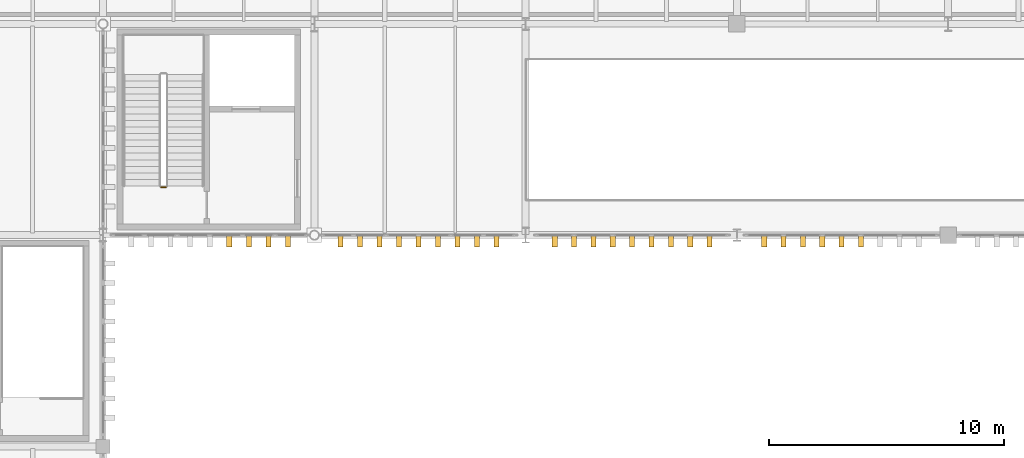
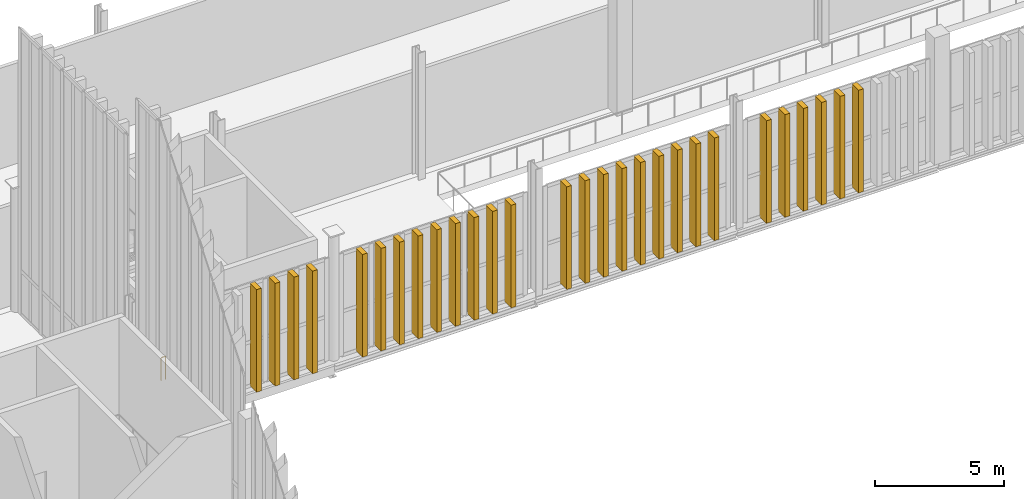
# One storey, part 217 of 237: 28 shading devices, 1 railing.
"""IFC4 building model written with IfcOpenShell, lengths in metres."""

import ifcopenshell
import ifcopenshell.guid

model = None  # the IFC model being written
_history = None  # IfcOwnerHistory: only IFC2X3 demands one
_inside = {}  # id of a spatial element -> (the spatial element, [elements in it])
_under = {}  # id of a project, library or spatial element -> (it, [spatial elements below it])
_declared = {}  # id of a project -> (the project, [libraries it declares])
_typed = {}  # id of a type object -> (the type object, [elements of that type])
_made_of = {}  # id of a material, layer set ... -> (it, [elements and type objects made of it])


def new_model(schema):
    """Start an empty IFC model of exactly this schema.

    Asked for "IFC4X3", IfcOpenShell would pick the latest addendum, in which some entities
    have other attributes; the version numbers below select the first issue.
    IFC2X3 requires an IfcOwnerHistory on every rooted entity: one is made here for all.
    """
    global model, _history
    if schema == "IFC4X3":
        model = ifcopenshell.file(schema_version=(4, 3, 0, 0))
    else:
        model = ifcopenshell.file(schema=schema)
    _inside.clear()
    _under.clear()
    _declared.clear()
    _typed.clear()
    _made_of.clear()
    _history = None
    if model.schema == "IFC2X3":
        org = make("IfcOrganization", Name="unknown")
        user = make(
            "IfcPersonAndOrganization",
            ThePerson=make("IfcPerson", FamilyName="unknown"),
            TheOrganization=org,
        )
        app = make(
            "IfcApplication",
            ApplicationDeveloper=org,
            Version="unknown",
            ApplicationFullName="unknown",
            ApplicationIdentifier="unknown",
        )
        _history = make(
            "IfcOwnerHistory",
            OwningUser=user,
            OwningApplication=app,
            ChangeAction="ADDED",
            CreationDate=0,
        )
    return model


def make(cls, **values):
    """One entity of the class cls with the attributes given. An attribute that is None is left unset."""
    return model.create_entity(
        cls, **{name: value for name, value in values.items() if value is not None}
    )


def rooted(cls, **values):
    """An entity with a GlobalId (a new one), such as an element, a storey or a relation."""
    return make(cls, GlobalId=ifcopenshell.guid.new(), OwnerHistory=_history, **values)


def si_unit(unit_type, name, prefix=None):
    """IfcSIUnit, for example si_unit("LENGTHUNIT", "METRE", prefix="MILLI")."""
    return make("IfcSIUnit", UnitType=unit_type, Prefix=prefix, Name=name)


def assignment(units):
    """IfcUnitAssignment: the units of a project."""
    return None if units is None else make("IfcUnitAssignment", Units=units)


def point(xyz):
    """IfcCartesianPoint."""
    return None if xyz is None else make("IfcCartesianPoint", Coordinates=xyz)


def direction(xyz):
    """IfcDirection."""
    return None if xyz is None else make("IfcDirection", DirectionRatios=xyz)


def frame(location, z_axis=None, x_axis=None):
    """IfcAxis2Placement3D, a coordinate frame: its origin and axes. An axis left out is left unset."""
    return make(
        "IfcAxis2Placement3D",
        Location=point(location),
        Axis=direction(z_axis),
        RefDirection=direction(x_axis),
    )


def frame_2d(location, x_axis=None):
    """IfcAxis2Placement2D, a coordinate frame in the plane: its origin and x axis."""
    return make(
        "IfcAxis2Placement2D", Location=point(location), RefDirection=direction(x_axis)
    )


def origin():
    """The frame at (0, 0, 0) with its axes left unset."""
    return frame((0.0, 0.0, 0.0))


def origin_2d():
    """The frame at (0, 0) in the plane with its x axis left unset."""
    return frame_2d((0.0, 0.0))


def place(relative_to, where):
    """IfcLocalPlacement: puts the frame where relative to a parent placement (None: the world)."""
    return make(
        "IfcLocalPlacement", PlacementRelTo=relative_to, RelativePlacement=where
    )


def context(
    kind, dimensions, precision=None, world=None, true_north=None, identifier=None
):
    """IfcGeometricRepresentationContext, for example the 3D "Model" context."""
    return make(
        "IfcGeometricRepresentationContext",
        ContextIdentifier=identifier,
        ContextType=kind,
        CoordinateSpaceDimension=dimensions,
        Precision=precision,
        WorldCoordinateSystem=world,
        TrueNorth=true_north,
    )


def subcontext(parent, identifier, kind, view, scale=None):
    """IfcGeometricRepresentationSubContext, for example "Body" below "Model"."""
    return make(
        "IfcGeometricRepresentationSubContext",
        ContextIdentifier=identifier,
        ContextType=kind,
        ParentContext=parent,
        TargetScale=scale,
        TargetView=view,
    )


def project(units=None, contexts=None):
    """IfcProject with its units and contexts."""
    return rooted(
        "IfcProject",
        Name="project",
        RepresentationContexts=contexts,
        UnitsInContext=assignment(units),
    )


def spatial(cls, under=None, at=None, **own):
    """A site, building, storey or space (cls), placed at a placement, below another one or the project."""
    s = rooted(cls, ObjectPlacement=at, **own)
    if under is not None:
        _under.setdefault(under.id(), (under, []))[1].append(s)
    return s


def profile(cls, at=None, kind="AREA", **sizes):
    """A parametric profile (cls). Its sizes go by their IFC names, for example OverallWidth=200.0."""
    return make(cls, ProfileType=kind, Position=at, **sizes)


def rectangle(**sizes):
    """IfcRectangleProfileDef."""
    return profile("IfcRectangleProfileDef", **sizes)


def circle(**sizes):
    """IfcCircleProfileDef."""
    return profile("IfcCircleProfileDef", **sizes)


def extrude(swept, where, along, depth):
    """IfcExtrudedAreaSolid: the profile swept, set in the frame where, extruded along a direction by depth."""
    return make(
        "IfcExtrudedAreaSolid",
        SweptArea=swept,
        Position=where,
        ExtrudedDirection=direction(along),
        Depth=depth,
    )


def shape(context_of_items, identifier, shape_type, items):
    """IfcShapeRepresentation: the items that make up one representation, for example the "Body"."""
    return make(
        "IfcShapeRepresentation",
        ContextOfItems=context_of_items,
        RepresentationIdentifier=identifier,
        RepresentationType=shape_type,
        Items=items,
    )


def material(Name=None, Category=None):
    """IfcMaterial."""
    return make("IfcMaterial", Name=Name, Category=Category)


def made_of(thing, what):
    """Note that an element or type object is made of a material, layer set ...; save() writes the relation."""
    if what is not None:
        _made_of.setdefault(what.id(), (what, []))[1].append(thing)
    return thing


def type_object(cls, material=None, **own):
    """A type object (cls), such as IfcWallType, which elements share."""
    return made_of(rooted(cls, **own), material)


def element(
    cls,
    number,
    at=None,
    inside=None,
    cuts=None,
    type_object=None,
    material=None,
    context=None,
    identifier="Body",
    shape_type=None,
    held_by="IfcProductDefinitionShape",
    body=None,
    shapes=None,
    **own,
):
    """One element of the class cls, such as IfcWall. Its Tag is "e" and its number.

    at: its placement. inside: the storey or other place that contains it. cuts: it is an
    opening in that element (IfcRelVoidsElement). A single representation is given by context,
    identifier, shape_type and body (its items); several are given by shapes. held_by: the class
    of the entity that holds the representations. save() writes the other relations.
    """
    e = rooted(cls, Tag="e%d" % number, ObjectPlacement=at, **own)
    if body is not None:
        shapes = [shape(context, identifier, shape_type, body)]
    if shapes is not None:
        e.Representation = make(held_by, Representations=shapes)
    if inside is not None:
        _inside.setdefault(inside.id(), (inside, []))[1].append(e)
    if cuts is not None:
        rooted(
            "IfcRelVoidsElement", RelatingBuildingElement=cuts, RelatedOpeningElement=e
        )
    if type_object is not None:
        _typed.setdefault(type_object.id(), (type_object, []))[1].append(e)
    return made_of(e, material)


def aggregate(whole, parts):
    """IfcRelAggregates: a whole, such as a stair, and the parts it consists of."""
    return rooted("IfcRelAggregates", RelatingObject=whole, RelatedObjects=parts)


def save(model, path):
    """Write the relations noted so far, then the file.

    IfcRelAggregates (storeys below a building ...), IfcRelContainedInSpatialStructure (elements
    in a storey), IfcRelDefinesByType, IfcRelAssociatesMaterial and IfcRelDeclares: one each for
    every whole, place, type object, material and project.
    """
    for whole, parts in _under.values():
        aggregate(whole, parts)
    for where, things in _inside.values():
        rooted(
            "IfcRelContainedInSpatialStructure",
            RelatedElements=things,
            RelatingStructure=where,
        )
    for kind, things in _typed.values():
        rooted("IfcRelDefinesByType", RelatedObjects=things, RelatingType=kind)
    for what, things in _made_of.values():
        rooted("IfcRelAssociatesMaterial", RelatedObjects=things, RelatingMaterial=what)
    for by, libraries in _declared.values():
        rooted("IfcRelDeclares", RelatingContext=by, RelatedDefinitions=libraries)
    model.write(path)


model = new_model("IFC4")

# Units and contexts
model_context = context("Model", 3, precision=1e-05, world=origin(), true_north=direction((0.0, 1.0)))
body_context = subcontext(model_context, "Body", "Model", "MODEL_VIEW")
ifc_project = project(units=[si_unit("LENGTHUNIT", "METRE"), si_unit("AREAUNIT", "SQUARE_METRE"), si_unit("VOLUMEUNIT", "CUBIC_METRE"), si_unit("PLANEANGLEUNIT", "RADIAN"), si_unit("MASSUNIT", "GRAM", prefix="KILO")], contexts=[model_context])

# Site, building, storey
site_placement = place(None, origin())
site = spatial("IfcSite", under=ifc_project, at=site_placement, CompositionType="ELEMENT")
building_placement = place(site_placement, origin())
building = spatial("IfcBuilding", under=site, at=building_placement, Name="Barlavento Convention Centre", CompositionType="ELEMENT")
storey_placement = place(building_placement, frame((0.0, 0.0, 12.0)))
storey = spatial("IfcBuildingStorey", under=building, at=storey_placement, Name="L02", CompositionType="ELEMENT", Elevation=12.0)

# Railing
ifc_material_1 = material(Name="Stainless steel and laminated glass balustrade", Category="steel")
railing_type = type_object("IfcRailingType", Name="ARC-RAL-BAL-1100", PredefinedType="BALUSTRADE", material=ifc_material_1)
railing_placement = place(storey_placement, frame((65.669921875, 47.0400390625, 0.0)))
element("IfcRailing", 1, at=railing_placement, inside=storey, type_object=railing_type, Name="L02 ST03 stair guard 4", PredefinedType="BALUSTRADE", context=body_context, shape_type="SweptSolid", body=[
    extrude(circle(Radius=0.02392578125, at=origin_2d()), frame((0.0, 0.0, 1.076171875), z_axis=(-1.0, 0.0, 0.0), x_axis=(0.0, -1.0, 0.0)), (0.0, 0.0, 1.0), 0.199951171875),
    extrude(circle(Radius=0.02099609375, at=origin_2d()), origin(), (0.0, 0.0, 1.0), 1.052001953125),
    extrude(circle(Radius=0.02099609375, at=origin_2d()), frame((-0.199951171875, 0.0, 0.0)), (0.0, 0.0, 1.0), 1.052001953125),
])

# Shading devices
ifc_material_2 = material(Name="PVDF white extruded aluminium", Category="aluminium")
shading_device_type = type_object("IfcShadingDeviceType", Name="ARC-SHD-FIN-480", PredefinedType="USERDEFINED", material=ifc_material_2)
for number, where, z_axis, x_axis, name in (
    (2, (68.37646484375, 44.760009765625, 0.0), (0.0, 0.0, 1.0), (1.0, 0.0, 0.0), "White vertical solar shading fin VF01"),
    (3, (69.211669921875, 44.760009765625, 0.0), (0.0, 0.0, 1.0), (1.0, 0.0, 0.0), "White vertical solar shading fin VF01"),
    (4, (70.046630859375, 44.760009765625, 0.0), (0.0, 0.0, 1.0), (1.0, 0.0, 0.0), "White vertical solar shading fin VF01"),
    (5, (70.881591796875, 44.760009765625, 0.0), (0.0, 0.0, 1.0), (1.0, 0.0, 0.0), "White vertical solar shading fin VF01"),
    (6, (73.113525390625, 44.760009765625, 0.0), (0.0, 0.0, 1.0), (1.0, 0.0, 0.0), "White vertical solar shading fin VF01"),
    (7, (73.94384765625, 44.760009765625, 0.0), (0.0, 0.0, 1.0), (1.0, 0.0, 0.0), "White vertical solar shading fin VF01"),
    (8, (74.77392578125, 44.760009765625, 0.0), (0.0, 0.0, 1.0), (1.0, 0.0, 0.0), "White vertical solar shading fin VF01"),
    (9, (75.604248046875, 44.760009765625, 0.0), (0.0, 0.0, 1.0), (1.0, 0.0, 0.0), "White vertical solar shading fin VF01"),
    (10, (76.4345703125, 44.760009765625, 0.0), (0.0, 0.0, 1.0), (1.0, 0.0, 0.0), "White vertical solar shading fin VF01"),
    (11, (77.264892578125, 44.760009765625, 0.0), (0.0, 0.0, 1.0), (1.0, 0.0, 0.0), "White vertical solar shading fin VF01"),
    (12, (78.09521484375, 44.760009765625, 0.0), (0.0, 0.0, 1.0), (1.0, 0.0, 0.0), "White vertical solar shading fin VF01"),
    (13, (78.92529296875, 44.760009765625, 0.0), (0.0, 0.0, 1.0), (1.0, 0.0, 0.0), "White vertical solar shading fin VF01"),
    (14, (79.755615234375, 44.760009765625, 0.0), (0.0, 0.0, 1.0), (1.0, 0.0, 0.0), "White vertical solar shading fin VF01"),
    (15, (82.23828125, 44.760009765625, 0.0), (0.0, 0.0, 1.0), (1.0, 0.0, 0.0), "White vertical solar shading fin VF01"),
    (16, (83.062744140625, 44.760009765625, 0.0), (0.0, 0.0, 1.0), (1.0, 0.0, 0.0), "White vertical solar shading fin VF01"),
    (17, (83.88720703125, 44.760009765625, 0.0), (0.0, 0.0, 1.0), (1.0, 0.0, 0.0), "White vertical solar shading fin VF01"),
    (18, (84.711669921875, 44.760009765625, 0.0), (0.0, 0.0, 1.0), (1.0, 0.0, 0.0), "White vertical solar shading fin VF01"),
    (19, (85.535888671875, 44.760009765625, 0.0), (0.0, 0.0, 1.0), (1.0, 0.0, 0.0), "White vertical solar shading fin VF01"),
    (20, (86.3603515625, 44.760009765625, 0.0), (0.0, 0.0, 1.0), (1.0, 0.0, 0.0), "White vertical solar shading fin VF01"),
    (21, (87.184814453125, 44.760009765625, 0.0), (0.0, 0.0, 1.0), (1.0, 0.0, 0.0), "White vertical solar shading fin VF01"),
    (22, (88.00927734375, 44.760009765625, 0.0), (0.0, 0.0, 1.0), (1.0, 0.0, 0.0), "White vertical solar shading fin VF01"),
    (23, (88.83349609375, 44.760009765625, 0.0), (0.0, 0.0, 1.0), (1.0, 0.0, 0.0), "White vertical solar shading fin VF01"),
    (24, (91.164794921875, 44.760009765625, 0.0), (0.0, 0.0, 1.0), (1.0, 0.0, 0.0), "White vertical solar shading fin VF01"),
    (25, (91.987548828125, 44.760009765625, 0.0), (0.0, 0.0, 1.0), (1.0, 0.0, 0.0), "White vertical solar shading fin VF01"),
    (26, (92.810302734375, 44.760009765625, 0.0), (0.0, 0.0, 1.0), (1.0, 0.0, 0.0), "White vertical solar shading fin VF01"),
    (27, (93.63330078125, 44.760009765625, 0.0), (0.0, 0.0, 1.0), (1.0, 0.0, 0.0), "White vertical solar shading fin VF01"),
    (28, (94.4560546875, 44.760009765625, 0.0), (0.0, 0.0, 1.0), (1.0, 0.0, 0.0), "White vertical solar shading fin VF01"),
    (29, (95.27880859375, 44.760009765625, 0.0), (0.0, 0.0, 1.0), (1.0, 0.0, 0.0), "White vertical solar shading fin VF01"),
):
    element("IfcShadingDevice", number, at=place(storey_placement, frame(where, z_axis=z_axis, x_axis=x_axis)), inside=storey, type_object=shading_device_type, Name=name, ObjectType="FIN", PredefinedType="USERDEFINED", context=body_context, shape_type="SweptSolid", body=[
        extrude(rectangle(XDim=0.219970703125, YDim=0.52001953125, at=origin_2d()), origin(), (0.0, 0.0, 1.0), 4.85009765625),
    ])

save(model, "model.ifc")
